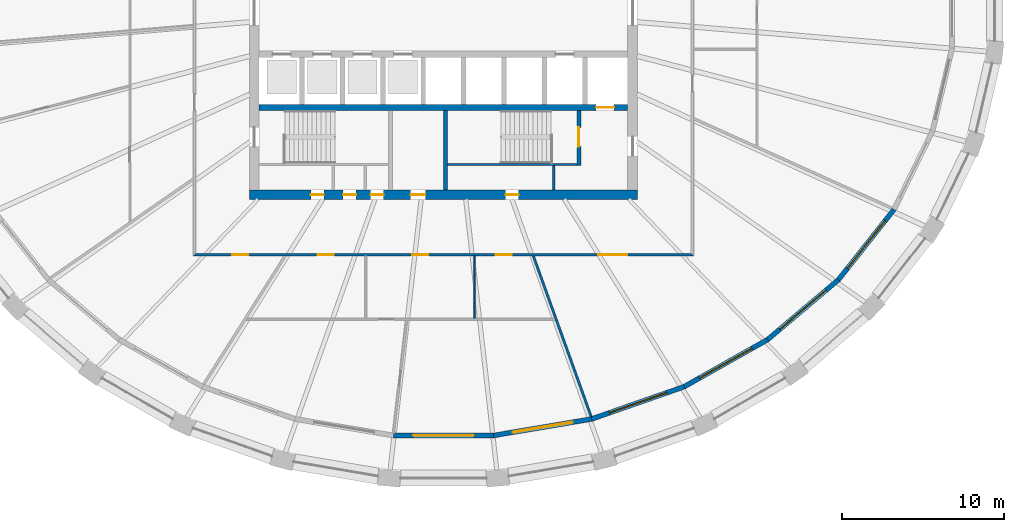
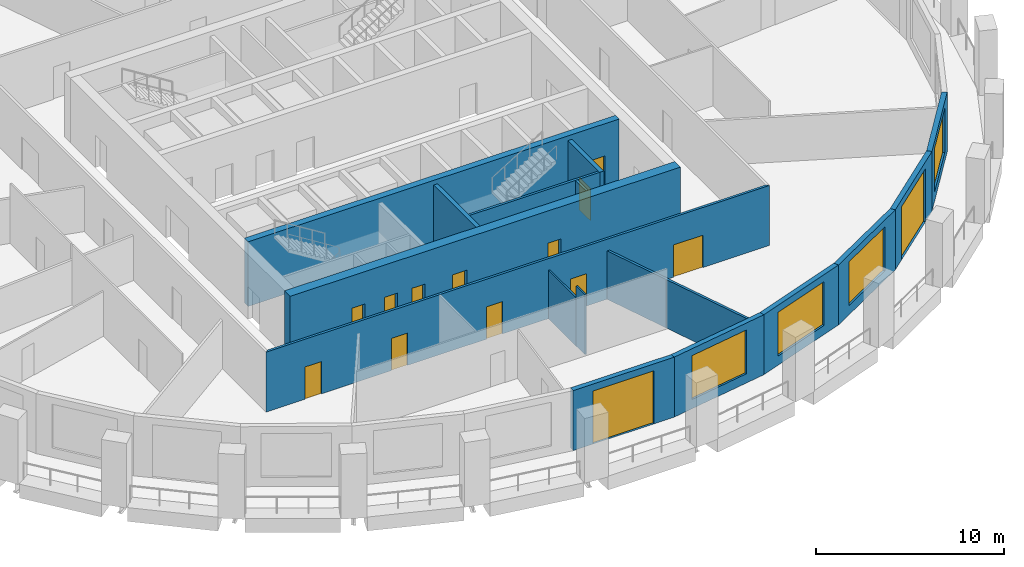
# One storey, part 4 of 11: 16 walls, 14 doors, 4 windows, 18 openings.
"""IFC4 building model written with IfcOpenShell, lengths in metres."""

from ifc_helpers import new_model, si_unit, direction, frame, frame_2d, origin, place, context, subcontext, project, spatial, polyline, rectangle, outline, extrude, material, layer, layer_set, type_object, element, fill, save


model = new_model("IFC4")

# Units and contexts
model_context = context("Model", 3, precision=1e-05, world=origin(), true_north=direction((0.0, 1.0)))
body_context = subcontext(model_context, "Body", "Model", "MODEL_VIEW")
ifc_project = project(units=[si_unit("LENGTHUNIT", "METRE"), si_unit("AREAUNIT", "SQUARE_METRE"), si_unit("VOLUMEUNIT", "CUBIC_METRE"), si_unit("PLANEANGLEUNIT", "RADIAN"), si_unit("MASSUNIT", "GRAM", prefix="KILO")], contexts=[model_context])

# Site, building, storey
site_placement = place(None, origin())
site = spatial("IfcSite", under=ifc_project, at=site_placement, CompositionType="ELEMENT")
building_placement = place(site_placement, origin())
building = spatial("IfcBuilding", under=site, at=building_placement, Name="Halqa Exchange Tower", CompositionType="ELEMENT")
storey_placement = place(building_placement, frame((0.0, 0.0, 146.5)))
storey = spatial("IfcBuildingStorey", under=building, at=storey_placement, Name="L33", CompositionType="ELEMENT", Elevation=146.5)

# Wall, openings, doors
ifc_material_1 = material(Name="Fire-rated gypsum board")
ifc_layer_1 = layer(ifc_material_1, 0.14990234375)
ifc_layer_set_1 = layer_set([ifc_layer_1], Name="Fire-rated gypsum board")
wall_type_1 = type_object("IfcWallType", Name="Fire partition EI 60 150", PredefinedType="PARTITIONING", material=ifc_layer_set_1)
wall_1_placement = place(storey_placement, frame((-15.47509765625, -15.39990234375, 0.0), z_axis=(0.0, 0.0, 1.0), x_axis=(1.0, 0.0, 0.0)))
wall_1 = element("IfcWall", 1, at=wall_1_placement, inside=storey, type_object=wall_type_1, Name="L33-PWL-008", PredefinedType="PARTITIONING", context=body_context, shape_type="SweptSolid", body=[
    extrude(outline(polyline([(0.000244140625, -0.074951171875), (1.9345703125, -0.074951171875), (3.868896484375, -0.074951171875), (5.80322265625, -0.074951171875), (7.73779296875, -0.074951171875), (9.672119140625, -0.074951171875), (11.6064453125, -0.074951171875), (13.540771484375, -0.074951171875), (15.47509765625, -0.074951171875), (17.409423828125, -0.074951171875), (19.34375, -0.074951171875), (21.278076171875, -0.074951171875), (23.21240234375, -0.074951171875), (25.14697265625, -0.074951171875), (27.081298828125, -0.074951171875), (29.015625, -0.074951171875), (30.949951171875, -0.074951171875), (30.800048828125, 0.074951171875), (28.884521484375, 0.074951171875), (26.96875, 0.074951171875), (25.05322265625, 0.074951171875), (23.1376953125, 0.074951171875), (21.221923828125, 0.074951171875), (19.306396484375, 0.074951171875), (17.390625, 0.074951171875), (15.47509765625, 0.074951171875), (13.5595703125, 0.074951171875), (11.643798828125, 0.074951171875), (9.728271484375, 0.074951171875), (7.8125, 0.074951171875), (5.89697265625, 0.074951171875), (3.9814453125, 0.074951171875), (2.065673828125, 0.074951171875), (0.150146484375, 0.074951171875), (0.000244140625, -0.074951171875)])), origin(), (0.0, 0.0, 1.0), 3.89990234375),
])
opening_1_placement = place(wall_1_placement, frame((2.39990234375, 0.0, 0.0)))
opening_1 = element("IfcOpeningElement", 2, at=opening_1_placement, cuts=wall_1, Name="Opening 10-11", PredefinedType="OPENING", context=body_context, shape_type="SweptSolid", body=[
    extrude(rectangle(XDim=1.0, YDim=2.10009765625, at=frame_2d((0.5, 1.050048828125))), frame((0.0, 0.0869140625, 0.0), z_axis=(0.0, -1.0, 0.0), x_axis=(1.0, 0.0, 0.0)), (0.0, 0.0, 1.0), 0.173828125),
])
opening_2_placement = place(wall_1_placement, frame((18.705078125, 0.0, 0.0)))
opening_2 = element("IfcOpeningElement", 3, at=opening_2_placement, cuts=wall_1, Name="Opening 10-12", PredefinedType="OPENING", context=body_context, shape_type="SweptSolid", body=[
    extrude(rectangle(XDim=1.0, YDim=2.10009765625, at=frame_2d((0.5, 1.050048828125))), frame((0.0, 0.0869140625, 0.0), z_axis=(0.0, -1.0, 0.0), x_axis=(1.0, 0.0, 0.0)), (0.0, 0.0, 1.0), 0.173828125),
])
opening_3_placement = place(wall_1_placement, frame((13.534912109375, 0.0, 0.0)))
opening_3 = element("IfcOpeningElement", 4, at=opening_3_placement, cuts=wall_1, Name="Opening 10-13", PredefinedType="OPENING", context=body_context, shape_type="SweptSolid", body=[
    extrude(rectangle(XDim=1.0, YDim=2.10009765625, at=frame_2d((0.5, 1.050048828125))), frame((0.0, 0.0869140625, 0.0), z_axis=(0.0, -1.0, 0.0), x_axis=(1.0, 0.0, 0.0)), (0.0, 0.0, 1.0), 0.173828125),
])
opening_4_placement = place(wall_1_placement, frame((7.695068359375, 0.0, 0.0)))
opening_4 = element("IfcOpeningElement", 5, at=opening_4_placement, cuts=wall_1, Name="Opening 10-14", PredefinedType="OPENING", context=body_context, shape_type="SweptSolid", body=[
    extrude(rectangle(XDim=1.0, YDim=2.10009765625, at=frame_2d((0.5, 1.050048828125))), frame((0.0, 0.0869140625, 0.0), z_axis=(0.0, -1.0, 0.0), x_axis=(1.0, 0.0, 0.0)), (0.0, 0.0, 1.0), 0.173828125),
])
opening_5_placement = place(wall_1_placement, frame((25.0400390625, 0.0, 0.0)))
opening_5 = element("IfcOpeningElement", 6, at=opening_5_placement, cuts=wall_1, Name="Opening 10-15", PredefinedType="OPENING", context=body_context, shape_type="SweptSolid", body=[
    extrude(rectangle(XDim=1.800048828125, YDim=2.10009765625, at=frame_2d((0.89990234375, 1.050048828125))), frame((0.0, 0.0869140625, 0.0), z_axis=(0.0, -1.0, 0.0), x_axis=(1.0, 0.0, 0.0)), (0.0, 0.0, 1.0), 0.173828125),
])
ifc_material_2 = material(Name="Steel fire door leaf", Category="steel")
door_type_1 = type_object("IfcDoorType", Name="Fire door FD30S 1000 x 2100", OperationType="SINGLE_SWING_LEFT", PredefinedType="DOOR", material=ifc_material_2)
door_1_placement = place(opening_1_placement, frame((1.0, 0.0, 0.0), z_axis=(0.0, 0.0, 1.0), x_axis=(-1.0, 0.0, 0.0)))
door_1 = element("IfcDoor", 7, at=door_1_placement, inside=storey, type_object=door_type_1, Name="L33-IDR-011", OperationType="SINGLE_SWING_RIGHT", OverallHeight=2.10009765625, OverallWidth=1.0, PredefinedType="DOOR", context=body_context, shape_type="SweptSolid", body=[
    extrude(rectangle(XDim=1.0, YDim=2.10009765625, at=frame_2d((0.5, 1.050048828125))), frame((0.0, 0.02490234375, 0.0), z_axis=(0.0, -1.0, 0.0), x_axis=(1.0, 0.0, 0.0)), (0.0, 0.0, 1.0), 0.050048828125),
])
fill(opening_1, door_1)
door_2_placement = place(opening_2_placement, frame((1.0, 0.0, 0.0), z_axis=(0.0, 0.0, 1.0), x_axis=(-1.0, 0.0, 0.0)))
door_2 = element("IfcDoor", 8, at=door_2_placement, inside=storey, type_object=door_type_1, Name="L33-IDR-012", OperationType="SINGLE_SWING_RIGHT", OverallHeight=2.10009765625, OverallWidth=1.0, PredefinedType="DOOR", context=body_context, shape_type="SweptSolid", body=[
    extrude(rectangle(XDim=1.0, YDim=2.10009765625, at=frame_2d((0.5, 1.050048828125))), frame((0.0, 0.02490234375, 0.0), z_axis=(0.0, -1.0, 0.0), x_axis=(1.0, 0.0, 0.0)), (0.0, 0.0, 1.0), 0.050048828125),
])
fill(opening_2, door_2)
door_3_placement = place(opening_3_placement, frame((1.0, 0.0, 0.0), z_axis=(0.0, 0.0, 1.0), x_axis=(-1.0, 0.0, 0.0)))
door_3 = element("IfcDoor", 9, at=door_3_placement, inside=storey, type_object=door_type_1, Name="L33-IDR-013", OperationType="SINGLE_SWING_RIGHT", OverallHeight=2.10009765625, OverallWidth=1.0, PredefinedType="DOOR", context=body_context, shape_type="SweptSolid", body=[
    extrude(rectangle(XDim=1.0, YDim=2.10009765625, at=frame_2d((0.5, 1.050048828125))), frame((0.0, 0.02490234375, 0.0), z_axis=(0.0, -1.0, 0.0), x_axis=(1.0, 0.0, 0.0)), (0.0, 0.0, 1.0), 0.050048828125),
])
fill(opening_3, door_3)
door_4_placement = place(opening_4_placement, frame((1.0, 0.0, 0.0), z_axis=(0.0, 0.0, 1.0), x_axis=(-1.0, 0.0, 0.0)))
door_4 = element("IfcDoor", 10, at=door_4_placement, inside=storey, type_object=door_type_1, Name="L33-IDR-014", OperationType="SINGLE_SWING_LEFT", OverallHeight=2.10009765625, OverallWidth=1.0, PredefinedType="DOOR", context=body_context, shape_type="SweptSolid", body=[
    extrude(rectangle(XDim=1.0, YDim=2.10009765625, at=frame_2d((0.5, 1.050048828125))), frame((0.0, 0.02490234375, 0.0), z_axis=(0.0, -1.0, 0.0), x_axis=(1.0, 0.0, 0.0)), (0.0, 0.0, 1.0), 0.050048828125),
])
fill(opening_4, door_4)
door_type_2 = type_object("IfcDoorType", Name="Fire door FD30S double 1800 x 2100", OperationType="DOUBLE_DOOR_SINGLE_SWING", PredefinedType="DOOR", material=ifc_material_2)
door_5_placement = place(opening_5_placement, frame((1.800048828125, 0.0, 0.0), z_axis=(0.0, 0.0, 1.0), x_axis=(-1.0, 0.0, 0.0)))
door_5 = element("IfcDoor", 11, at=door_5_placement, inside=storey, type_object=door_type_2, Name="L33-IDR-015", OperationType="DOUBLE_DOOR_SINGLE_SWING", OverallHeight=2.10009765625, OverallWidth=1.800048828125, PredefinedType="DOOR", context=body_context, shape_type="SweptSolid", body=[
    extrude(rectangle(XDim=1.800048828125, YDim=2.10009765625, at=frame_2d((0.89990234375, 1.050048828125))), frame((0.0, 0.02490234375, 0.0), z_axis=(0.0, -1.0, 0.0), x_axis=(1.0, 0.0, 0.0)), (0.0, 0.0, 1.0), 0.050048828125),
])
fill(opening_5, door_5)

# Walls
wall_2_placement = place(storey_placement, frame((5.5478515625, -15.449951171875, 0.0), z_axis=(0.0, 0.0, 1.0), x_axis=(0.338602834386, -0.940929391902, 0.0)))
element("IfcWall", 12, at=wall_2_placement, inside=storey, type_object=wall_type_1, Name="L33-PWL-021", PredefinedType="PARTITIONING", context=body_context, shape_type="SweptSolid", body=[
    extrude(outline(polyline([(0.0, -0.074951171875), (1.37255859375, -0.074951171875), (2.745361328125, -0.074951171875), (4.117919921875, -0.074951171875), (4.130126953125, -0.041259765625), (4.2236328125, -0.074951171875), (5.814453125, -0.074951171875), (7.405029296875, -0.074951171875), (8.995849609375, -0.074951171875), (10.58642578125, -0.074951171875), (10.599365234375, -0.003662109375), (10.599853515625, 0.048095703125), (10.599853515625, 0.074951171875), (8.842041015625, 0.074951171875), (7.08447265625, 0.074951171875), (5.32666015625, 0.074951171875), (3.569091796875, 0.074951171875), (1.811279296875, 0.074951171875), (0.0537109375, 0.074951171875), (0.0, -0.073974609375), (0.0, -0.074951171875)])), origin(), (0.0, 0.0, 1.0), 3.14697265625),
])
ifc_material_3 = material(Name="Gypsum board")
ifc_layer_2 = layer(ifc_material_3, 0.10009765625)
ifc_layer_set_2 = layer_set([ifc_layer_2], Name="Gypsum board")
wall_type_2 = type_object("IfcWallType", Name="Partition 100 gypsum", PredefinedType="PARTITIONING", material=ifc_layer_set_2)
wall_3_placement = place(storey_placement, frame((1.929931640625, -19.35009765625, 0.0), z_axis=(0.0, 0.0, 1.0), x_axis=(0.0, 1.0, 0.0)))
element("IfcWall", 13, at=wall_3_placement, inside=storey, type_object=wall_type_2, Name="L33-PWL-018", PredefinedType="PARTITIONING", context=body_context, shape_type="SweptSolid", body=[
    extrude(rectangle(XDim=0.93798828125, YDim=0.10009765625, at=frame_2d((0.468994140625, 0.0))), origin(), (0.0, 0.0, 1.0), 3.89990234375),
])
wall_4_placement = place(storey_placement, frame((1.929931640625, -18.412109375, 0.0), z_axis=(0.0, 0.0, 1.0), x_axis=(0.0, 1.0, 0.0)))
element("IfcWall", 14, at=wall_4_placement, inside=storey, type_object=wall_type_2, Name="L33-PWL-030", PredefinedType="PARTITIONING", context=body_context, shape_type="SweptSolid", body=[
    extrude(rectangle(XDim=2.93701171875, YDim=0.10009765625, at=frame_2d((1.468505859375, 0.0))), origin(), (0.0, 0.0, 1.0), 3.14697265625),
])
ifc_layer_3 = layer(ifc_material_3, 0.14990234375)
ifc_layer_set_3 = layer_set([ifc_layer_3], Name="Gypsum board")
wall_type_3 = type_object("IfcWallType", Name="Penthouse riser wall 150 gypsum", PredefinedType="PARTITIONING", material=ifc_layer_set_3)
wall_5_placement = place(storey_placement, frame((6.824951171875, -11.39990234375, 0.0), z_axis=(0.0, 0.0, 1.0), x_axis=(0.0, 1.0, 0.0)))
element("IfcWall", 15, at=wall_5_placement, inside=storey, type_object=wall_type_3, Name="Firefighting lobby west wall S", PredefinedType="PARTITIONING", context=body_context, shape_type="SweptSolid", body=[
    extrude(rectangle(XDim=1.5, YDim=0.14990234375, at=frame_2d((0.75, 0.0))), origin(), (0.0, 0.0, 1.0), 3.89990234375),
])

# Wall, opening, door
ifc_material_4 = material(Name="Concrete C70/85", Category="concrete")
ifc_layer_4 = layer(ifc_material_4, 0.39990234375)
ifc_layer_set_4 = layer_set([ifc_layer_4], Name="Concrete C70/85")
wall_type_4 = type_object("IfcWallType", Name="RC core wall 400 C70/85", PredefinedType="SHEAR", material=ifc_layer_set_4)
wall_6_placement = place(storey_placement, frame((-11.39990234375, -6.300048828125, 0.0), z_axis=(0.0, 0.0, 1.0), x_axis=(1.0, 0.0, 0.0)))
wall_6 = element("IfcWall", 16, at=wall_6_placement, inside=storey, type_object=wall_type_4, Name="Lift row back wall S", PredefinedType="SHEAR", context=body_context, shape_type="SweptSolid", body=[
    extrude(rectangle(XDim=22.7998046875, YDim=0.39990234375, at=frame_2d((11.39990234375, 0.0))), origin(), (0.0, 0.0, 1.0), 4.199951171875),
])
opening_6_placement = place(wall_6_placement, frame((20.85009765625, 0.0, 0.0)))
opening_6 = element("IfcOpeningElement", 17, at=opening_6_placement, cuts=wall_6, Name="Opening LD-FF2-T10", PredefinedType="OPENING", context=body_context, shape_type="SweptSolid", body=[
    extrude(rectangle(XDim=1.10009765625, YDim=2.10009765625, at=frame_2d((0.550048828125, 1.050048828125))), frame((0.0, 0.2119140625, 0.0), z_axis=(0.0, -1.0, 0.0), x_axis=(1.0, 0.0, 0.0)), (0.0, 0.0, 1.0), 0.423828125),
])
ifc_material_5 = material(Name="Stainless steel", Category="steel")
door_type_3 = type_object("IfcDoorType", Name="Lift landing door 1100 x 2100", OperationType="SLIDING_TO_LEFT", PredefinedType="DOOR", material=ifc_material_5)
door_6_placement = place(opening_6_placement, origin())
door_6 = element("IfcDoor", 18, at=door_6_placement, inside=storey, type_object=door_type_3, Name="Lift landing door FF2", OperationType="SLIDING_TO_LEFT", OverallHeight=2.10009765625, OverallWidth=1.10009765625, PredefinedType="DOOR", context=body_context, shape_type="SweptSolid", body=[
    extrude(rectangle(XDim=1.10009765625, YDim=2.10009765625, at=frame_2d((0.550048828125, 1.050048828125))), frame((0.0, 0.02490234375, 0.0), z_axis=(0.0, -1.0, 0.0), x_axis=(1.0, 0.0, 0.0)), (0.0, 0.0, 1.0), 0.050048828125),
])
fill(opening_6, door_6)

# Wall, openings, doors
ifc_layer_5 = layer(ifc_material_4, 0.60009765625)
ifc_layer_set_5 = layer_set([ifc_layer_5], Name="Concrete C70/85")
wall_type_5 = type_object("IfcWallType", Name="RC core wall 600 C70/85", PredefinedType="SHEAR", material=ifc_layer_set_5)
wall_7_placement = place(storey_placement, frame((-12.0, -11.699951171875, 0.0), z_axis=(0.0, 0.0, 1.0), x_axis=(1.0, 0.0, 0.0)))
wall_7 = element("IfcWall", 19, at=wall_7_placement, inside=storey, type_object=wall_type_5, Name="Core wall south", PredefinedType="SHEAR", context=body_context, shape_type="SweptSolid", body=[
    extrude(rectangle(XDim=24.0, YDim=0.60009765625, at=frame_2d((12.0, 0.0))), origin(), (0.0, 0.0, 1.0), 4.199951171875),
])
opening_7_placement = place(wall_7_placement, frame((9.97509765625, 0.0, 0.0)))
opening_7 = element("IfcOpeningElement", 20, at=opening_7_placement, cuts=wall_7, Name="Opening T10-C26", PredefinedType="OPENING", context=body_context, shape_type="SweptSolid", body=[
    extrude(rectangle(XDim=0.89990234375, YDim=2.10009765625, at=frame_2d((0.449951171875, 1.050048828125))), frame((0.0, 0.31201171875, 0.0), z_axis=(0.0, -1.0, 0.0), x_axis=(1.0, 0.0, 0.0)), (0.0, 0.0, 1.0), 0.6240234375),
])
opening_8_placement = place(wall_7_placement, frame((3.800048828125, 0.0, 0.0)))
opening_8 = element("IfcOpeningElement", 21, at=opening_8_placement, cuts=wall_7, Name="Opening T10-C27", PredefinedType="OPENING", context=body_context, shape_type="SweptSolid", body=[
    extrude(rectangle(XDim=0.800048828125, YDim=2.10009765625, at=frame_2d((0.39990234375, 1.050048828125))), frame((0.0, 0.31201171875, 0.0), z_axis=(0.0, -1.0, 0.0), x_axis=(1.0, 0.0, 0.0)), (0.0, 0.0, 1.0), 0.6240234375),
])
opening_9_placement = place(wall_7_placement, frame((5.800048828125, 0.0, 0.0)))
opening_9 = element("IfcOpeningElement", 22, at=opening_9_placement, cuts=wall_7, Name="Opening T10-C28", PredefinedType="OPENING", context=body_context, shape_type="SweptSolid", body=[
    extrude(rectangle(XDim=0.800048828125, YDim=2.10009765625, at=frame_2d((0.39990234375, 1.050048828125))), frame((0.0, 0.31201171875, 0.0), z_axis=(0.0, -1.0, 0.0), x_axis=(1.0, 0.0, 0.0)), (0.0, 0.0, 1.0), 0.6240234375),
])
opening_10_placement = place(wall_7_placement, frame((7.5, 0.0, 0.0)))
opening_10 = element("IfcOpeningElement", 23, at=opening_10_placement, cuts=wall_7, Name="Opening T10-C29", PredefinedType="OPENING", context=body_context, shape_type="SweptSolid", body=[
    extrude(rectangle(XDim=0.800048828125, YDim=2.10009765625, at=frame_2d((0.39990234375, 1.050048828125))), frame((0.0, 0.31201171875, 0.0), z_axis=(0.0, -1.0, 0.0), x_axis=(1.0, 0.0, 0.0)), (0.0, 0.0, 1.0), 0.6240234375),
])
opening_11_placement = place(wall_7_placement, frame((15.85009765625, 0.0, 0.0)))
opening_11 = element("IfcOpeningElement", 24, at=opening_11_placement, cuts=wall_7, Name="Opening T10-C30", PredefinedType="OPENING", context=body_context, shape_type="SweptSolid", body=[
    extrude(rectangle(XDim=0.800048828125, YDim=2.10009765625, at=frame_2d((0.39990234375, 1.050048828125))), frame((0.0, 0.31201171875, 0.0), z_axis=(0.0, -1.0, 0.0), x_axis=(1.0, 0.0, 0.0)), (0.0, 0.0, 1.0), 0.6240234375),
])
ifc_material_6 = material(Name="Timber fire door leaf", Category="wood")
door_type_4 = type_object("IfcDoorType", Name="Core room door FD30 900 x 2100", OperationType="SINGLE_SWING_LEFT", PredefinedType="DOOR", material=ifc_material_6)
door_7_placement = place(opening_7_placement, origin())
door_7 = element("IfcDoor", 25, at=door_7_placement, inside=storey, type_object=door_type_4, Name="Core room door", OperationType="SINGLE_SWING_RIGHT", OverallHeight=2.10009765625, OverallWidth=0.89990234375, PredefinedType="DOOR", context=body_context, shape_type="SweptSolid", body=[
    extrude(rectangle(XDim=0.89990234375, YDim=2.10009765625, at=frame_2d((0.449951171875, 1.050048828125))), frame((0.0, 0.02490234375, 0.0), z_axis=(0.0, -1.0, 0.0), x_axis=(1.0, 0.0, 0.0)), (0.0, 0.0, 1.0), 0.050048828125),
])
fill(opening_7, door_7)
door_type_5 = type_object("IfcDoorType", Name="Riser door FD60 800 x 2100", OperationType="SINGLE_SWING_LEFT", PredefinedType="DOOR", material=ifc_material_2)
door_8_placement = place(opening_8_placement, origin())
door_8 = element("IfcDoor", 26, at=door_8_placement, inside=storey, type_object=door_type_5, Name="Core room door", OperationType="SINGLE_SWING_LEFT", OverallHeight=2.10009765625, OverallWidth=0.800048828125, PredefinedType="DOOR", context=body_context, shape_type="SweptSolid", body=[
    extrude(rectangle(XDim=0.800048828125, YDim=2.10009765625, at=frame_2d((0.39990234375, 1.050048828125))), frame((0.0, 0.02490234375, 0.0), z_axis=(0.0, -1.0, 0.0), x_axis=(1.0, 0.0, 0.0)), (0.0, 0.0, 1.0), 0.050048828125),
])
fill(opening_8, door_8)
door_9_placement = place(opening_9_placement, origin())
door_9 = element("IfcDoor", 27, at=door_9_placement, inside=storey, type_object=door_type_5, Name="Core room door", OperationType="SINGLE_SWING_LEFT", OverallHeight=2.10009765625, OverallWidth=0.800048828125, PredefinedType="DOOR", context=body_context, shape_type="SweptSolid", body=[
    extrude(rectangle(XDim=0.800048828125, YDim=2.10009765625, at=frame_2d((0.39990234375, 1.050048828125))), frame((0.0, 0.02490234375, 0.0), z_axis=(0.0, -1.0, 0.0), x_axis=(1.0, 0.0, 0.0)), (0.0, 0.0, 1.0), 0.050048828125),
])
fill(opening_9, door_9)
door_10_placement = place(opening_10_placement, origin())
door_10 = element("IfcDoor", 28, at=door_10_placement, inside=storey, type_object=door_type_5, Name="Core room door", OperationType="SINGLE_SWING_LEFT", OverallHeight=2.10009765625, OverallWidth=0.800048828125, PredefinedType="DOOR", context=body_context, shape_type="SweptSolid", body=[
    extrude(rectangle(XDim=0.800048828125, YDim=2.10009765625, at=frame_2d((0.39990234375, 1.050048828125))), frame((0.0, 0.02490234375, 0.0), z_axis=(0.0, -1.0, 0.0), x_axis=(1.0, 0.0, 0.0)), (0.0, 0.0, 1.0), 0.050048828125),
])
fill(opening_10, door_10)
door_11_placement = place(opening_11_placement, origin())
door_11 = element("IfcDoor", 29, at=door_11_placement, inside=storey, type_object=door_type_5, Name="Core room door", OperationType="SINGLE_SWING_LEFT", OverallHeight=2.10009765625, OverallWidth=0.800048828125, PredefinedType="DOOR", context=body_context, shape_type="SweptSolid", body=[
    extrude(rectangle(XDim=0.800048828125, YDim=2.10009765625, at=frame_2d((0.39990234375, 1.050048828125))), frame((0.0, 0.02490234375, 0.0), z_axis=(0.0, -1.0, 0.0), x_axis=(1.0, 0.0, 0.0)), (0.0, 0.0, 1.0), 0.050048828125),
])
fill(opening_11, door_11)

# Walls
ifc_material_7 = material(Name="Concrete C30/37", Category="concrete")
ifc_layer_6 = layer(ifc_material_7, 0.14990234375)
ifc_layer_set_6 = layer_set([ifc_layer_6], Name="Concrete C30/37")
wall_type_6 = type_object("IfcWallType", Name="RC stair wall 150 C30/37", PredefinedType="SHEAR", material=ifc_layer_set_6)
wall_8_placement = place(storey_placement, frame((0.25, -9.824951171875, 0.0), z_axis=(0.0, 0.0, 1.0), x_axis=(1.0, 0.0, 0.0)))
element("IfcWall", 30, at=wall_8_placement, inside=storey, type_object=wall_type_6, Name="Stair ST2 north wall S", PredefinedType="SHEAR", context=body_context, shape_type="SweptSolid", body=[
    extrude(rectangle(XDim=8.0, YDim=0.14990234375, at=frame_2d((4.0, 0.0))), origin(), (0.0, 0.0, 1.0), 3.89990234375),
])
ifc_layer_7 = layer(ifc_material_7, 0.25)
ifc_layer_set_7 = layer_set([ifc_layer_7], Name="Concrete C30/37")
wall_type_7 = type_object("IfcWallType", Name="RC stair wall 250 C30/37", PredefinedType="SHEAR", material=ifc_layer_set_7)
wall_9_placement = place(storey_placement, frame((0.125, -11.39990234375, 0.0), z_axis=(0.0, 0.0, 1.0), x_axis=(0.0, 1.0, 0.0)))
element("IfcWall", 31, at=wall_9_placement, inside=storey, type_object=wall_type_7, Name="Stair ST2 west wall S", PredefinedType="SHEAR", context=body_context, shape_type="SweptSolid", body=[
    extrude(rectangle(XDim=4.89990234375, YDim=0.25, at=frame_2d((2.449951171875, 0.0))), origin(), (0.0, 0.0, 1.0), 3.89990234375),
])

# Wall, opening, door
wall_10_placement = place(storey_placement, frame((8.375, -9.89990234375, 0.0), z_axis=(0.0, 0.0, 1.0), x_axis=(0.0, 1.0, 0.0)))
wall_10 = element("IfcWall", 32, at=wall_10_placement, inside=storey, type_object=wall_type_7, Name="Stair ST2 east wall S", PredefinedType="SHEAR", context=body_context, shape_type="SweptSolid", body=[
    extrude(rectangle(XDim=3.39990234375, YDim=0.25, at=frame_2d((1.699951171875, 0.0))), origin(), (0.0, 0.0, 1.0), 3.89990234375),
])
opening_12_placement = place(wall_10_placement, frame((1.175048828125, 0.0, 0.0)))
opening_12 = element("IfcOpeningElement", 33, at=opening_12_placement, cuts=wall_10, Name="Opening T10-C18", PredefinedType="OPENING", context=body_context, shape_type="SweptSolid", body=[
    extrude(rectangle(XDim=1.199951171875, YDim=2.10009765625, at=frame_2d((0.60009765625, 1.050048828125))), frame((0.0, 0.136962890625, 0.0), z_axis=(0.0, -1.0, 0.0), x_axis=(1.0, 0.0, 0.0)), (0.0, 0.0, 1.0), 0.27392578125),
])
door_type_6 = type_object("IfcDoorType", Name="Stair door FD90 1200 x 2100", OperationType="SINGLE_SWING_LEFT", PredefinedType="DOOR", material=ifc_material_2)
door_12_placement = place(opening_12_placement, origin())
door_12 = element("IfcDoor", 34, at=door_12_placement, inside=storey, type_object=door_type_6, Name="Stair door ST4", OperationType="SINGLE_SWING_RIGHT", OverallHeight=2.10009765625, OverallWidth=1.199951171875, PredefinedType="DOOR", context=body_context, shape_type="SweptSolid", body=[
    extrude(rectangle(XDim=1.199951171875, YDim=2.10009765625, at=frame_2d((0.60009765625, 1.050048828125))), frame((0.0, 0.02490234375, 0.0), z_axis=(0.0, -1.0, 0.0), x_axis=(1.0, 0.0, 0.0)), (0.0, 0.0, 1.0), 0.050048828125),
])
fill(opening_12, door_12)

ifc_material_8 = material(Name="Limestone cladding", Category="masonry")
ifc_layer_8 = layer(ifc_material_8, 0.0400390625)
ifc_material_9 = material(Name="Ventilated cavity")
ifc_layer_9 = layer(ifc_material_9, 0.030029296875, ventilated=True)
ifc_material_10 = material(Name="Mineral wool insulation")
ifc_layer_10 = layer(ifc_material_10, 0.10009765625)
ifc_layer_11 = layer(ifc_material_7, 0.10009765625)
ifc_material_11 = material(Name="Internal plaster")
ifc_layer_12 = layer(ifc_material_11, 0.030029296875)
ifc_layer_set_8 = layer_set([ifc_layer_8, ifc_layer_9, ifc_layer_10, ifc_layer_11, ifc_layer_12], Name="Stone-faced insulated wall 300")
wall_type_8 = type_object("IfcWallType", Name="Stone-faced insulated wall 300", PredefinedType="STANDARD", material=ifc_layer_set_8)
wall_11_placement = place(storey_placement, frame((-3.096435546875, -26.590576171875, 0.0), z_axis=(0.0, 0.0, 1.0), x_axis=(1.0, 0.0, 0.0)))
wall_11 = element("IfcWall", 35, at=wall_11_placement, inside=storey, type_object=wall_type_8, Name="Glass-line wall 24", PredefinedType="STANDARD", context=body_context, shape_type="SweptSolid", body=[
    extrude(outline(polyline([(-0.012451171875, -0.14990234375), (6.205322265625, -0.14990234375), (6.180419921875, 0.14990234375), (0.012451171875, 0.14990234375), (-0.012451171875, -0.14990234375)])), origin(), (0.0, 0.0, 1.0), 3.89990234375),
])
opening_13_placement = place(wall_11_placement, frame((1.221435546875, 0.0, 0.0)))
opening_13 = element("IfcOpeningElement", 36, at=opening_13_placement, cuts=wall_11, Name="Opening LG-F2-06", PredefinedType="OPENING", context=body_context, shape_type="SweptSolid", body=[
    extrude(rectangle(XDim=3.75, YDim=3.449951171875, at=frame_2d((1.875, 1.72509765625))), frame((0.0, 0.162109375, 0.0), z_axis=(0.0, -1.0, 0.0), x_axis=(1.0, 0.0, 0.0)), (0.0, 0.0, 1.0), 0.323974609375),
])
ifc_material_12 = material(Name="Clear low-emissivity glass in aluminium frame", Category="aluminium")
door_type_7 = type_object("IfcDoorType", Name="Glazed sliding loggia door 3750 x 3450", OperationType="DOUBLE_DOOR_SLIDING", PredefinedType="DOOR", material=ifc_material_12)
door_13_placement = place(opening_13_placement, origin())
door_13 = element("IfcDoor", 37, at=door_13_placement, inside=storey, type_object=door_type_7, Name="Loggia door 6", OperationType="DOUBLE_DOOR_SLIDING", OverallHeight=3.449951171875, OverallWidth=3.75, PredefinedType="DOOR", context=body_context, shape_type="SweptSolid", body=[
    extrude(rectangle(XDim=3.75, YDim=3.449951171875, at=frame_2d((1.875, 1.72509765625))), frame((0.0, 0.02490234375, 0.0), z_axis=(0.0, -1.0, 0.0), x_axis=(1.0, 0.0, 0.0)), (0.0, 0.0, 1.0), 0.050048828125),
])
fill(opening_13, door_13)

# Wall, opening, window
wall_12_placement = place(storey_placement, frame((3.096435546875, -26.590576171875, 0.0), z_axis=(0.0, 0.0, 1.0), x_axis=(0.986186393203, 0.165639360845, 0.0)))
wall_12 = element("IfcWall", 38, at=wall_12_placement, inside=storey, type_object=wall_type_8, Name="Glass-line wall 25", PredefinedType="STANDARD", context=body_context, shape_type="SweptSolid", body=[
    extrude(outline(polyline([(-0.012451171875, -0.14990234375), (6.17236328125, -0.14990234375), (6.14697265625, 0.14990234375), (0.012451171875, 0.14990234375), (-0.012451171875, -0.14990234375)])), origin(), (0.0, 0.0, 1.0), 3.89990234375),
])
opening_14_placement = place(wall_12_placement, frame((1.20458984375, 0.0, 0.60009765625)))
opening_14 = element("IfcOpeningElement", 39, at=opening_14_placement, cuts=wall_12, Name="Opening W-F2-25", PredefinedType="OPENING", context=body_context, shape_type="SweptSolid", body=[
    extrude(rectangle(XDim=3.75, YDim=2.85009765625, at=frame_2d((1.875, 1.425048828125))), frame((0.0, 0.162109375, 0.0), z_axis=(0.0, -1.0, 0.0), x_axis=(1.0, 0.0, 0.0)), (0.0, 0.0, 1.0), 0.323974609375),
])
window_type = type_object("IfcWindowType", Name="Fixed clear glazed window 3750 x 2850", PartitioningType="TRIPLE_PANEL_VERTICAL", PredefinedType="WINDOW", material=ifc_material_12)
window_1_placement = place(opening_14_placement, origin())
window_1 = element("IfcWindow", 40, at=window_1_placement, inside=storey, type_object=window_type, Name="Window 2", OverallHeight=2.85009765625, OverallWidth=3.75, PartitioningType="TRIPLE_PANEL_VERTICAL", PredefinedType="WINDOW", context=body_context, shape_type="SweptSolid", body=[
    extrude(rectangle(XDim=3.75, YDim=2.85009765625, at=frame_2d((1.875, 1.425048828125))), frame((0.0, 0.030029296875, 0.0), z_axis=(0.0, -1.0, 0.0), x_axis=(1.0, 0.0, 0.0)), (0.0, 0.0, 1.0), 0.06005859375),
])
fill(opening_14, window_1)

wall_13_placement = place(storey_placement, frame((9.1708984375, -25.5703125, 0.0), z_axis=(0.0, 0.0, 1.0), x_axis=(0.943925510212, 0.330158494016, 0.0)))
wall_13 = element("IfcWall", 41, at=wall_13_placement, inside=storey, type_object=wall_type_8, Name="Glass-line wall 26", PredefinedType="STANDARD", context=body_context, shape_type="SweptSolid", body=[
    extrude(outline(polyline([(-0.0126953125, -0.14990234375), (6.076416015625, -0.14990234375), (6.049560546875, 0.14990234375), (0.0126953125, 0.14990234375), (-0.0126953125, -0.14990234375)])), origin(), (0.0, 0.0, 1.0), 3.89990234375),
])
opening_15_placement = place(wall_13_placement, frame((1.156494140625, 0.0, 0.60009765625)))
opening_15 = element("IfcOpeningElement", 42, at=opening_15_placement, cuts=wall_13, Name="Opening W-F2-26", PredefinedType="OPENING", context=body_context, shape_type="SweptSolid", body=[
    extrude(rectangle(XDim=3.75, YDim=2.85009765625, at=frame_2d((1.875, 1.425048828125))), frame((0.0, 0.162109375, 0.0), z_axis=(0.0, -1.0, 0.0), x_axis=(1.0, 0.0, 0.0)), (0.0, 0.0, 1.0), 0.323974609375),
])
window_2_placement = place(opening_15_placement, origin())
window_2 = element("IfcWindow", 43, at=window_2_placement, inside=storey, type_object=window_type, Name="Window 2", OverallHeight=2.85009765625, OverallWidth=3.75, PartitioningType="TRIPLE_PANEL_VERTICAL", PredefinedType="WINDOW", context=body_context, shape_type="SweptSolid", body=[
    extrude(rectangle(XDim=3.75, YDim=2.85009765625, at=frame_2d((1.875, 1.425048828125))), frame((0.0, 0.030029296875, 0.0), z_axis=(0.0, -1.0, 0.0), x_axis=(1.0, 0.0, 0.0)), (0.0, 0.0, 1.0), 0.06005859375),
])
fill(opening_15, window_2)

wall_14_placement = place(storey_placement, frame((14.893798828125, -23.568603515625, 0.0), z_axis=(0.0, 0.0, 1.0), x_axis=(0.870912346166, 0.491438384028, 0.0)))
wall_14 = element("IfcWall", 44, at=wall_14_placement, inside=storey, type_object=wall_type_8, Name="Glass-line wall 27", PredefinedType="STANDARD", context=body_context, shape_type="SweptSolid", body=[
    extrude(outline(polyline([(-0.013427734375, -0.14990234375), (5.929931640625, -0.14990234375), (5.901611328125, 0.14990234375), (0.013427734375, 0.14990234375), (-0.013427734375, -0.14990234375)])), origin(), (0.0, 0.0, 1.0), 3.89990234375),
])
opening_16_placement = place(wall_14_placement, frame((1.0830078125, 0.0, 0.60009765625)))
opening_16 = element("IfcOpeningElement", 45, at=opening_16_placement, cuts=wall_14, Name="Opening W-F2-27", PredefinedType="OPENING", context=body_context, shape_type="SweptSolid", body=[
    extrude(rectangle(XDim=3.75, YDim=2.85009765625, at=frame_2d((1.875, 1.425048828125))), frame((0.0, 0.162109375, 0.0), z_axis=(0.0, -1.0, 0.0), x_axis=(1.0, 0.0, 0.0)), (0.0, 0.0, 1.0), 0.323974609375),
])
window_3_placement = place(opening_16_placement, origin())
window_3 = element("IfcWindow", 46, at=window_3_placement, inside=storey, type_object=window_type, Name="Window 2", OverallHeight=2.85009765625, OverallWidth=3.75, PartitioningType="TRIPLE_PANEL_VERTICAL", PredefinedType="WINDOW", context=body_context, shape_type="SweptSolid", body=[
    extrude(rectangle(XDim=3.75, YDim=2.85009765625, at=frame_2d((1.875, 1.425048828125))), frame((0.0, 0.030029296875, 0.0), z_axis=(0.0, -1.0, 0.0), x_axis=(1.0, 0.0, 0.0)), (0.0, 0.0, 1.0), 0.06005859375),
])
fill(opening_16, window_3)

# Wall, opening, door
wall_15_placement = place(storey_placement, frame((20.0458984375, -20.661376953125, 0.0), z_axis=(0.0, 0.0, 1.0), x_axis=(0.764047627809, 0.64515984255, 0.0)))
wall_15 = element("IfcWall", 47, at=wall_15_placement, inside=storey, type_object=wall_type_8, Name="Glass-line wall 28", PredefinedType="STANDARD", context=body_context, shape_type="SweptSolid", body=[
    extrude(outline(polyline([(-0.01416015625, -0.14990234375), (5.752685546875, -0.14990234375), (5.722412109375, 0.14990234375), (0.01416015625, 0.14990234375), (-0.01416015625, -0.14990234375)])), origin(), (0.0, 0.0, 1.0), 3.89990234375),
])
opening_17_placement = place(wall_15_placement, frame((0.99365234375, 0.0, 0.0)))
opening_17 = element("IfcOpeningElement", 48, at=opening_17_placement, cuts=wall_15, Name="Opening LG-F2-07", PredefinedType="OPENING", context=body_context, shape_type="SweptSolid", body=[
    extrude(rectangle(XDim=3.75, YDim=3.449951171875, at=frame_2d((1.875, 1.72509765625))), frame((0.0, 0.162109375, 0.0), z_axis=(0.0, -1.0, 0.0), x_axis=(1.0, 0.0, 0.0)), (0.0, 0.0, 1.0), 0.323974609375),
])
door_14_placement = place(opening_17_placement, origin())
door_14 = element("IfcDoor", 49, at=door_14_placement, inside=storey, type_object=door_type_7, Name="Loggia door 7", OperationType="DOUBLE_DOOR_SLIDING", OverallHeight=3.449951171875, OverallWidth=3.75, PredefinedType="DOOR", context=body_context, shape_type="SweptSolid", body=[
    extrude(rectangle(XDim=3.75, YDim=3.449951171875, at=frame_2d((1.875, 1.72509765625))), frame((0.0, 0.02490234375, 0.0), z_axis=(0.0, -1.0, 0.0), x_axis=(1.0, 0.0, 0.0)), (0.0, 0.0, 1.0), 0.050048828125),
])
fill(opening_17, door_14)

# Wall, opening, window
wall_16_placement = place(storey_placement, frame((24.4296875, -16.959716796875, 0.0), z_axis=(0.0, 0.0, 1.0), x_axis=(0.620520511988, 0.784190215574, 0.0)))
wall_16 = element("IfcWall", 50, at=wall_16_placement, inside=storey, type_object=wall_type_8, Name="Glass-line wall 29", PredefinedType="STANDARD", context=body_context, shape_type="SweptSolid", body=[
    extrude(outline(polyline([(-0.01513671875, -0.14990234375), (5.569580078125, -0.14990234375), (5.537353515625, 0.14990234375), (0.01513671875, 0.14990234375), (-0.01513671875, -0.14990234375)])), origin(), (0.0, 0.0, 1.0), 3.89990234375),
])
opening_18_placement = place(wall_16_placement, frame((0.901611328125, 0.0, 0.60009765625)))
opening_18 = element("IfcOpeningElement", 51, at=opening_18_placement, cuts=wall_16, Name="Opening W-F2-29", PredefinedType="OPENING", context=body_context, shape_type="SweptSolid", body=[
    extrude(rectangle(XDim=3.75, YDim=2.85009765625, at=frame_2d((1.875, 1.425048828125))), frame((0.0, 0.162109375, 0.0), z_axis=(0.0, -1.0, 0.0), x_axis=(1.0, 0.0, 0.0)), (0.0, 0.0, 1.0), 0.323974609375),
])
window_4_placement = place(opening_18_placement, origin())
window_4 = element("IfcWindow", 52, at=window_4_placement, inside=storey, type_object=window_type, Name="Window 2", OverallHeight=2.85009765625, OverallWidth=3.75, PartitioningType="TRIPLE_PANEL_VERTICAL", PredefinedType="WINDOW", context=body_context, shape_type="SweptSolid", body=[
    extrude(rectangle(XDim=3.75, YDim=2.85009765625, at=frame_2d((1.875, 1.425048828125))), frame((0.0, 0.030029296875, 0.0), z_axis=(0.0, -1.0, 0.0), x_axis=(1.0, 0.0, 0.0)), (0.0, 0.0, 1.0), 0.06005859375),
])
fill(opening_18, window_4)

save(model, "model.ifc")
